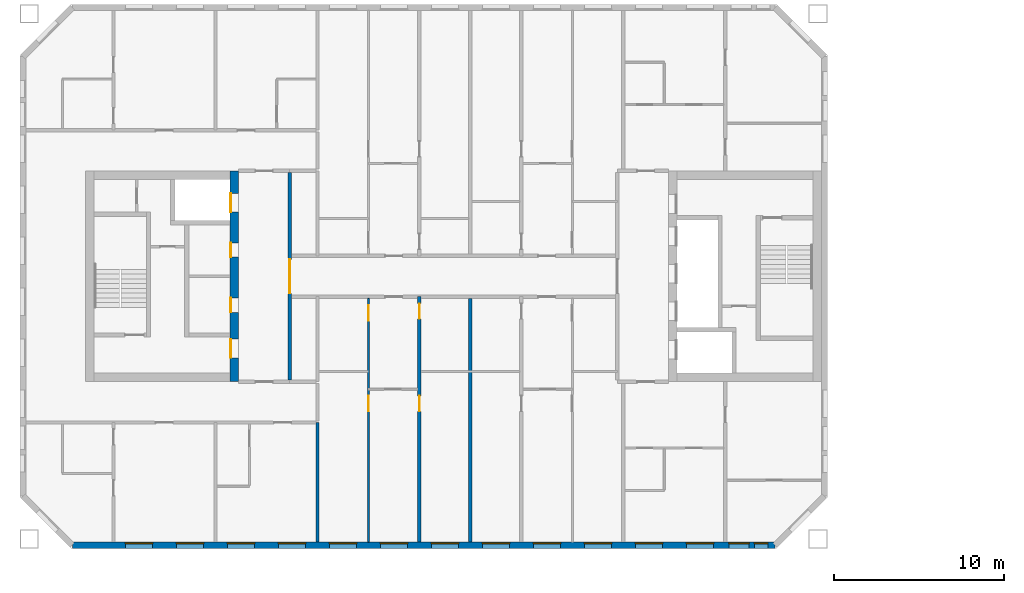
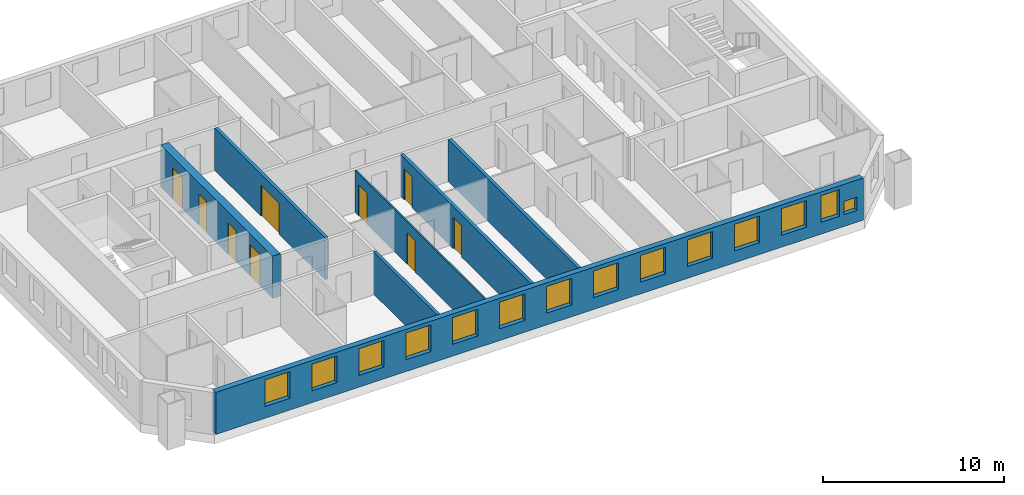
# One storey, part 3 of 15: 14 windows, 9 doors, 7 walls, 23 openings.
"""IFC4 building model written with IfcOpenShell, lengths in metres."""

from ifc_helpers import new_model, si_unit, direction, frame, frame_2d, origin, place, context, subcontext, project, spatial, rectangle, extrude, material, layer, layer_set, type_object, element, fill, save


model = new_model("IFC4")

# Units and contexts
model_context = context("Model", 3, precision=1e-05, world=origin(), true_north=direction((0.0, 1.0)))
body_context = subcontext(model_context, "Body", "Model", "MODEL_VIEW")
ifc_project = project(units=[si_unit("LENGTHUNIT", "METRE"), si_unit("AREAUNIT", "SQUARE_METRE"), si_unit("VOLUMEUNIT", "CUBIC_METRE"), si_unit("PLANEANGLEUNIT", "RADIAN"), si_unit("MASSUNIT", "GRAM", prefix="KILO")], contexts=[model_context])

# Site, building, storey
site_placement = place(None, origin())
site = spatial("IfcSite", under=ifc_project, at=site_placement, CompositionType="ELEMENT")
building_placement = place(site_placement, origin())
building = spatial("IfcBuilding", under=site, at=building_placement, Name="Tuart Gate Housing", CompositionType="ELEMENT")
storey_placement = place(building_placement, frame((0.0, 0.0, 148.5)))
storey = spatial("IfcBuildingStorey", under=building, at=storey_placement, Name="L41", CompositionType="ELEMENT", Elevation=148.5)

# Wall, openings, windows
ifc_material_1 = material(Name="Brick", Category="masonry")
ifc_layer_1 = layer(ifc_material_1, 0.360107421875)
ifc_layer_set_1 = layer_set([ifc_layer_1], Name="Brick pier and spandrel wall 360")
wall_type_1 = type_object("IfcWallType", Name="Brick pier and spandrel wall 360", PredefinedType="STANDARD", material=ifc_layer_set_1)
wall_1_placement = place(storey_placement, frame((31.57470703125, 54.179931640625, 0.0), z_axis=(0.0, 0.0, 1.0), x_axis=(1.0, 0.0, 0.0)))
wall_1 = element("IfcWall", 1, at=wall_1_placement, inside=storey, type_object=wall_type_1, Name="External wall A-S L41", PredefinedType="STANDARD", context=body_context, shape_type="SweptSolid", body=[
    extrude(rectangle(XDim=41.350830078125, YDim=0.360107421875, at=frame_2d((20.67529296875, 0.0))), origin(), (0.0, 0.0, 1.0), 2.85009765625),
])
opening_1_placement = place(wall_1_placement, frame((3.12548828125, 0.0, 0.800048828125)))
opening_1 = element("IfcOpeningElement", 2, at=opening_1_placement, cuts=wall_1, Name="Opening W1", PredefinedType="OPENING", context=body_context, shape_type="SweptSolid", body=[
    extrude(rectangle(XDim=1.60009765625, YDim=1.800048828125, at=frame_2d((0.800048828125, 0.89990234375))), frame((0.0, 0.18994140625, 0.0), z_axis=(0.0, -1.0, 0.0), x_axis=(1.0, 0.0, 0.0)), (0.0, 0.0, 1.0), 0.380126953125),
])
opening_2_placement = place(wall_1_placement, frame((6.12548828125, 0.0, 0.800048828125)))
opening_2 = element("IfcOpeningElement", 3, at=opening_2_placement, cuts=wall_1, Name="Opening W1", PredefinedType="OPENING", context=body_context, shape_type="SweptSolid", body=[
    extrude(rectangle(XDim=1.60009765625, YDim=1.800048828125, at=frame_2d((0.800048828125, 0.89990234375))), frame((0.0, 0.18994140625, 0.0), z_axis=(0.0, -1.0, 0.0), x_axis=(1.0, 0.0, 0.0)), (0.0, 0.0, 1.0), 0.380126953125),
])
opening_3_placement = place(wall_1_placement, frame((9.12548828125, 0.0, 0.800048828125)))
opening_3 = element("IfcOpeningElement", 4, at=opening_3_placement, cuts=wall_1, Name="Opening W1", PredefinedType="OPENING", context=body_context, shape_type="SweptSolid", body=[
    extrude(rectangle(XDim=1.60009765625, YDim=1.800048828125, at=frame_2d((0.800048828125, 0.89990234375))), frame((0.0, 0.18994140625, 0.0), z_axis=(0.0, -1.0, 0.0), x_axis=(1.0, 0.0, 0.0)), (0.0, 0.0, 1.0), 0.380126953125),
])
opening_4_placement = place(wall_1_placement, frame((12.12548828125, 0.0, 0.800048828125)))
opening_4 = element("IfcOpeningElement", 5, at=opening_4_placement, cuts=wall_1, Name="Opening W1", PredefinedType="OPENING", context=body_context, shape_type="SweptSolid", body=[
    extrude(rectangle(XDim=1.60009765625, YDim=1.800048828125, at=frame_2d((0.800048828125, 0.89990234375))), frame((0.0, 0.18994140625, 0.0), z_axis=(0.0, -1.0, 0.0), x_axis=(1.0, 0.0, 0.0)), (0.0, 0.0, 1.0), 0.380126953125),
])
opening_5_placement = place(wall_1_placement, frame((15.12548828125, 0.0, 0.800048828125)))
opening_5 = element("IfcOpeningElement", 6, at=opening_5_placement, cuts=wall_1, Name="Opening W1", PredefinedType="OPENING", context=body_context, shape_type="SweptSolid", body=[
    extrude(rectangle(XDim=1.60009765625, YDim=1.800048828125, at=frame_2d((0.800048828125, 0.89990234375))), frame((0.0, 0.18994140625, 0.0), z_axis=(0.0, -1.0, 0.0), x_axis=(1.0, 0.0, 0.0)), (0.0, 0.0, 1.0), 0.380126953125),
])
opening_6_placement = place(wall_1_placement, frame((18.12548828125, 0.0, 0.800048828125)))
opening_6 = element("IfcOpeningElement", 7, at=opening_6_placement, cuts=wall_1, Name="Opening W1", PredefinedType="OPENING", context=body_context, shape_type="SweptSolid", body=[
    extrude(rectangle(XDim=1.60009765625, YDim=1.800048828125, at=frame_2d((0.800048828125, 0.89990234375))), frame((0.0, 0.18994140625, 0.0), z_axis=(0.0, -1.0, 0.0), x_axis=(1.0, 0.0, 0.0)), (0.0, 0.0, 1.0), 0.380126953125),
])
opening_7_placement = place(wall_1_placement, frame((21.12548828125, 0.0, 0.800048828125)))
opening_7 = element("IfcOpeningElement", 8, at=opening_7_placement, cuts=wall_1, Name="Opening W1", PredefinedType="OPENING", context=body_context, shape_type="SweptSolid", body=[
    extrude(rectangle(XDim=1.60009765625, YDim=1.800048828125, at=frame_2d((0.800048828125, 0.89990234375))), frame((0.0, 0.18994140625, 0.0), z_axis=(0.0, -1.0, 0.0), x_axis=(1.0, 0.0, 0.0)), (0.0, 0.0, 1.0), 0.380126953125),
])
opening_8_placement = place(wall_1_placement, frame((24.12548828125, 0.0, 0.800048828125)))
opening_8 = element("IfcOpeningElement", 9, at=opening_8_placement, cuts=wall_1, Name="Opening W1", PredefinedType="OPENING", context=body_context, shape_type="SweptSolid", body=[
    extrude(rectangle(XDim=1.60009765625, YDim=1.800048828125, at=frame_2d((0.800048828125, 0.89990234375))), frame((0.0, 0.18994140625, 0.0), z_axis=(0.0, -1.0, 0.0), x_axis=(1.0, 0.0, 0.0)), (0.0, 0.0, 1.0), 0.380126953125),
])
opening_9_placement = place(wall_1_placement, frame((27.12548828125, 0.0, 0.800048828125)))
opening_9 = element("IfcOpeningElement", 10, at=opening_9_placement, cuts=wall_1, Name="Opening W1", PredefinedType="OPENING", context=body_context, shape_type="SweptSolid", body=[
    extrude(rectangle(XDim=1.60009765625, YDim=1.800048828125, at=frame_2d((0.800048828125, 0.89990234375))), frame((0.0, 0.18994140625, 0.0), z_axis=(0.0, -1.0, 0.0), x_axis=(1.0, 0.0, 0.0)), (0.0, 0.0, 1.0), 0.380126953125),
])
opening_10_placement = place(wall_1_placement, frame((30.12548828125, 0.0, 0.800048828125)))
opening_10 = element("IfcOpeningElement", 11, at=opening_10_placement, cuts=wall_1, Name="Opening W1", PredefinedType="OPENING", context=body_context, shape_type="SweptSolid", body=[
    extrude(rectangle(XDim=1.60009765625, YDim=1.800048828125, at=frame_2d((0.800048828125, 0.89990234375))), frame((0.0, 0.18994140625, 0.0), z_axis=(0.0, -1.0, 0.0), x_axis=(1.0, 0.0, 0.0)), (0.0, 0.0, 1.0), 0.380126953125),
])
opening_11_placement = place(wall_1_placement, frame((33.12548828125, 0.0, 0.800048828125)))
opening_11 = element("IfcOpeningElement", 12, at=opening_11_placement, cuts=wall_1, Name="Opening W1", PredefinedType="OPENING", context=body_context, shape_type="SweptSolid", body=[
    extrude(rectangle(XDim=1.60009765625, YDim=1.800048828125, at=frame_2d((0.800048828125, 0.89990234375))), frame((0.0, 0.18994140625, 0.0), z_axis=(0.0, -1.0, 0.0), x_axis=(1.0, 0.0, 0.0)), (0.0, 0.0, 1.0), 0.380126953125),
])
opening_12_placement = place(wall_1_placement, frame((36.12548828125, 0.0, 0.800048828125)))
opening_12 = element("IfcOpeningElement", 13, at=opening_12_placement, cuts=wall_1, Name="Opening W1", PredefinedType="OPENING", context=body_context, shape_type="SweptSolid", body=[
    extrude(rectangle(XDim=1.60009765625, YDim=1.800048828125, at=frame_2d((0.800048828125, 0.89990234375))), frame((0.0, 0.18994140625, 0.0), z_axis=(0.0, -1.0, 0.0), x_axis=(1.0, 0.0, 0.0)), (0.0, 0.0, 1.0), 0.380126953125),
])
opening_13_placement = place(wall_1_placement, frame((38.62548828125, 0.0, 0.800048828125)))
opening_13 = element("IfcOpeningElement", 14, at=opening_13_placement, cuts=wall_1, Name="Opening W1B", PredefinedType="OPENING", context=body_context, shape_type="SweptSolid", body=[
    extrude(rectangle(XDim=1.199951171875, YDim=1.800048828125, at=frame_2d((0.60009765625, 0.89990234375))), frame((0.0, 0.18994140625, 0.0), z_axis=(0.0, -1.0, 0.0), x_axis=(1.0, 0.0, 0.0)), (0.0, 0.0, 1.0), 0.380126953125),
])
opening_14_placement = place(wall_1_placement, frame((40.12548828125, 0.0, 0.800048828125)))
opening_14 = element("IfcOpeningElement", 15, at=opening_14_placement, cuts=wall_1, Name="Opening W1V", PredefinedType="OPENING", context=body_context, shape_type="SweptSolid", body=[
    extrude(rectangle(XDim=0.800048828125, YDim=0.89990234375, at=frame_2d((0.39990234375, 0.449951171875))), frame((0.0, 0.18994140625, 0.0), z_axis=(0.0, -1.0, 0.0), x_axis=(1.0, 0.0, 0.0)), (0.0, 0.0, 1.0), 0.380126953125),
])
ifc_material_2 = material(Name="Aluminium frame with clear glass", Category="aluminium")
window_type_1 = type_object("IfcWindowType", Name="Punched window 1200 x 1800", PartitioningType="SINGLE_PANEL", PredefinedType="WINDOW", material=ifc_material_2)
window_1_placement = place(opening_13_placement, origin())
window_1 = element("IfcWindow", 16, at=window_1_placement, inside=storey, type_object=window_type_1, Name="Window W1B", OverallHeight=1.800048828125, OverallWidth=1.199951171875, PartitioningType="SINGLE_PANEL", PredefinedType="WINDOW", context=body_context, shape_type="SweptSolid", body=[
    extrude(rectangle(XDim=1.199951171875, YDim=1.800048828125, at=frame_2d((0.60009765625, 0.89990234375))), frame((0.0, 0.150146484375, 0.0), z_axis=(0.0, -1.0, 0.0), x_axis=(1.0, 0.0, 0.0)), (0.0, 0.0, 1.0), 0.06005859375),
])
fill(opening_13, window_1)
ifc_material_3 = material(Name="Aluminium frame with clear glass", Category="aluminium")
window_type_2 = type_object("IfcWindowType", Name="Punched window 1600 x 1800", PartitioningType="SINGLE_PANEL", PredefinedType="WINDOW", material=ifc_material_3)
window_2_placement = place(opening_1_placement, origin())
window_2 = element("IfcWindow", 17, at=window_2_placement, inside=storey, type_object=window_type_2, Name="Window W1", OverallHeight=1.800048828125, OverallWidth=1.60009765625, PartitioningType="SINGLE_PANEL", PredefinedType="WINDOW", context=body_context, shape_type="SweptSolid", body=[
    extrude(rectangle(XDim=1.60009765625, YDim=1.800048828125, at=frame_2d((0.800048828125, 0.89990234375))), frame((0.0, 0.150146484375, 0.0), z_axis=(0.0, -1.0, 0.0), x_axis=(1.0, 0.0, 0.0)), (0.0, 0.0, 1.0), 0.06005859375),
])
fill(opening_1, window_2)
window_3_placement = place(opening_2_placement, origin())
window_3 = element("IfcWindow", 18, at=window_3_placement, inside=storey, type_object=window_type_2, Name="Window W1", OverallHeight=1.800048828125, OverallWidth=1.60009765625, PartitioningType="SINGLE_PANEL", PredefinedType="WINDOW", context=body_context, shape_type="SweptSolid", body=[
    extrude(rectangle(XDim=1.60009765625, YDim=1.800048828125, at=frame_2d((0.800048828125, 0.89990234375))), frame((0.0, 0.150146484375, 0.0), z_axis=(0.0, -1.0, 0.0), x_axis=(1.0, 0.0, 0.0)), (0.0, 0.0, 1.0), 0.06005859375),
])
fill(opening_2, window_3)
window_4_placement = place(opening_3_placement, origin())
window_4 = element("IfcWindow", 19, at=window_4_placement, inside=storey, type_object=window_type_2, Name="Window W1", OverallHeight=1.800048828125, OverallWidth=1.60009765625, PartitioningType="SINGLE_PANEL", PredefinedType="WINDOW", context=body_context, shape_type="SweptSolid", body=[
    extrude(rectangle(XDim=1.60009765625, YDim=1.800048828125, at=frame_2d((0.800048828125, 0.89990234375))), frame((0.0, 0.150146484375, 0.0), z_axis=(0.0, -1.0, 0.0), x_axis=(1.0, 0.0, 0.0)), (0.0, 0.0, 1.0), 0.06005859375),
])
fill(opening_3, window_4)
window_5_placement = place(opening_4_placement, origin())
window_5 = element("IfcWindow", 20, at=window_5_placement, inside=storey, type_object=window_type_2, Name="Window W1", OverallHeight=1.800048828125, OverallWidth=1.60009765625, PartitioningType="SINGLE_PANEL", PredefinedType="WINDOW", context=body_context, shape_type="SweptSolid", body=[
    extrude(rectangle(XDim=1.60009765625, YDim=1.800048828125, at=frame_2d((0.800048828125, 0.89990234375))), frame((0.0, 0.150146484375, 0.0), z_axis=(0.0, -1.0, 0.0), x_axis=(1.0, 0.0, 0.0)), (0.0, 0.0, 1.0), 0.06005859375),
])
fill(opening_4, window_5)
window_6_placement = place(opening_5_placement, origin())
window_6 = element("IfcWindow", 21, at=window_6_placement, inside=storey, type_object=window_type_2, Name="Window W1", OverallHeight=1.800048828125, OverallWidth=1.60009765625, PartitioningType="SINGLE_PANEL", PredefinedType="WINDOW", context=body_context, shape_type="SweptSolid", body=[
    extrude(rectangle(XDim=1.60009765625, YDim=1.800048828125, at=frame_2d((0.800048828125, 0.89990234375))), frame((0.0, 0.150146484375, 0.0), z_axis=(0.0, -1.0, 0.0), x_axis=(1.0, 0.0, 0.0)), (0.0, 0.0, 1.0), 0.06005859375),
])
fill(opening_5, window_6)
window_7_placement = place(opening_6_placement, origin())
window_7 = element("IfcWindow", 22, at=window_7_placement, inside=storey, type_object=window_type_2, Name="Window W1", OverallHeight=1.800048828125, OverallWidth=1.60009765625, PartitioningType="SINGLE_PANEL", PredefinedType="WINDOW", context=body_context, shape_type="SweptSolid", body=[
    extrude(rectangle(XDim=1.60009765625, YDim=1.800048828125, at=frame_2d((0.800048828125, 0.89990234375))), frame((0.0, 0.150146484375, 0.0), z_axis=(0.0, -1.0, 0.0), x_axis=(1.0, 0.0, 0.0)), (0.0, 0.0, 1.0), 0.06005859375),
])
fill(opening_6, window_7)
window_8_placement = place(opening_7_placement, origin())
window_8 = element("IfcWindow", 23, at=window_8_placement, inside=storey, type_object=window_type_2, Name="Window W1", OverallHeight=1.800048828125, OverallWidth=1.60009765625, PartitioningType="SINGLE_PANEL", PredefinedType="WINDOW", context=body_context, shape_type="SweptSolid", body=[
    extrude(rectangle(XDim=1.60009765625, YDim=1.800048828125, at=frame_2d((0.800048828125, 0.89990234375))), frame((0.0, 0.150146484375, 0.0), z_axis=(0.0, -1.0, 0.0), x_axis=(1.0, 0.0, 0.0)), (0.0, 0.0, 1.0), 0.06005859375),
])
fill(opening_7, window_8)
window_9_placement = place(opening_8_placement, origin())
window_9 = element("IfcWindow", 24, at=window_9_placement, inside=storey, type_object=window_type_2, Name="Window W1", OverallHeight=1.800048828125, OverallWidth=1.60009765625, PartitioningType="SINGLE_PANEL", PredefinedType="WINDOW", context=body_context, shape_type="SweptSolid", body=[
    extrude(rectangle(XDim=1.60009765625, YDim=1.800048828125, at=frame_2d((0.800048828125, 0.89990234375))), frame((0.0, 0.150146484375, 0.0), z_axis=(0.0, -1.0, 0.0), x_axis=(1.0, 0.0, 0.0)), (0.0, 0.0, 1.0), 0.06005859375),
])
fill(opening_8, window_9)
window_10_placement = place(opening_9_placement, origin())
window_10 = element("IfcWindow", 25, at=window_10_placement, inside=storey, type_object=window_type_2, Name="Window W1", OverallHeight=1.800048828125, OverallWidth=1.60009765625, PartitioningType="SINGLE_PANEL", PredefinedType="WINDOW", context=body_context, shape_type="SweptSolid", body=[
    extrude(rectangle(XDim=1.60009765625, YDim=1.800048828125, at=frame_2d((0.800048828125, 0.89990234375))), frame((0.0, 0.150146484375, 0.0), z_axis=(0.0, -1.0, 0.0), x_axis=(1.0, 0.0, 0.0)), (0.0, 0.0, 1.0), 0.06005859375),
])
fill(opening_9, window_10)
window_11_placement = place(opening_10_placement, origin())
window_11 = element("IfcWindow", 26, at=window_11_placement, inside=storey, type_object=window_type_2, Name="Window W1", OverallHeight=1.800048828125, OverallWidth=1.60009765625, PartitioningType="SINGLE_PANEL", PredefinedType="WINDOW", context=body_context, shape_type="SweptSolid", body=[
    extrude(rectangle(XDim=1.60009765625, YDim=1.800048828125, at=frame_2d((0.800048828125, 0.89990234375))), frame((0.0, 0.150146484375, 0.0), z_axis=(0.0, -1.0, 0.0), x_axis=(1.0, 0.0, 0.0)), (0.0, 0.0, 1.0), 0.06005859375),
])
fill(opening_10, window_11)
window_12_placement = place(opening_11_placement, origin())
window_12 = element("IfcWindow", 27, at=window_12_placement, inside=storey, type_object=window_type_2, Name="Window W1", OverallHeight=1.800048828125, OverallWidth=1.60009765625, PartitioningType="SINGLE_PANEL", PredefinedType="WINDOW", context=body_context, shape_type="SweptSolid", body=[
    extrude(rectangle(XDim=1.60009765625, YDim=1.800048828125, at=frame_2d((0.800048828125, 0.89990234375))), frame((0.0, 0.150146484375, 0.0), z_axis=(0.0, -1.0, 0.0), x_axis=(1.0, 0.0, 0.0)), (0.0, 0.0, 1.0), 0.06005859375),
])
fill(opening_11, window_12)
window_13_placement = place(opening_12_placement, origin())
window_13 = element("IfcWindow", 28, at=window_13_placement, inside=storey, type_object=window_type_2, Name="Window W1", OverallHeight=1.800048828125, OverallWidth=1.60009765625, PartitioningType="SINGLE_PANEL", PredefinedType="WINDOW", context=body_context, shape_type="SweptSolid", body=[
    extrude(rectangle(XDim=1.60009765625, YDim=1.800048828125, at=frame_2d((0.800048828125, 0.89990234375))), frame((0.0, 0.150146484375, 0.0), z_axis=(0.0, -1.0, 0.0), x_axis=(1.0, 0.0, 0.0)), (0.0, 0.0, 1.0), 0.06005859375),
])
fill(opening_12, window_13)
ifc_material_4 = material(Name="Aluminium frame with clear glass", Category="aluminium")
window_type_3 = type_object("IfcWindowType", Name="Punched window 800 x 900", PartitioningType="SINGLE_PANEL", PredefinedType="WINDOW", material=ifc_material_4)
window_14_placement = place(opening_14_placement, origin())
window_14 = element("IfcWindow", 29, at=window_14_placement, inside=storey, type_object=window_type_3, Name="Window W1V", OverallHeight=0.89990234375, OverallWidth=0.800048828125, PartitioningType="SINGLE_PANEL", PredefinedType="WINDOW", context=body_context, shape_type="SweptSolid", body=[
    extrude(rectangle(XDim=0.800048828125, YDim=0.89990234375, at=frame_2d((0.39990234375, 0.449951171875))), frame((0.0, 0.150146484375, 0.0), z_axis=(0.0, -1.0, 0.0), x_axis=(1.0, 0.0, 0.0)), (0.0, 0.0, 1.0), 0.06005859375),
])
fill(opening_14, window_14)

# Wall, openings, doors
ifc_material_5 = material(Name="Concrete C40", Category="concrete")
ifc_layer_2 = layer(ifc_material_5, 0.5)
ifc_layer_set_2 = layer_set([ifc_layer_2], Name="Core wall 500 C40")
wall_type_2 = type_object("IfcWallType", Name="Core wall 500 C40", PredefinedType="SHEAR", material=ifc_layer_set_2)
wall_2_placement = place(storey_placement, frame((41.110107421875, 76.199951171875, 0.0), z_axis=(0.0, 0.0, 1.0), x_axis=(0.0, -1.0, 0.0)))
wall_2 = element("IfcWall", 30, at=wall_2_placement, inside=storey, type_object=wall_type_2, Name="Core wall AK front", PredefinedType="SHEAR", context=body_context, shape_type="SweptSolid", body=[
    extrude(rectangle(XDim=12.39990234375, YDim=0.5, at=frame_2d((6.199951171875, 0.0))), origin(), (0.0, 0.0, 1.0), 2.85009765625),
])
opening_15_placement = place(wall_2_placement, frame((1.324951171875, 0.0, 0.0)))
opening_15 = element("IfcOpeningElement", 31, at=opening_15_placement, cuts=wall_2, Name="Opening LD-FA2", PredefinedType="OPENING", context=body_context, shape_type="SweptSolid", body=[
    extrude(rectangle(XDim=1.10009765625, YDim=2.10009765625, at=frame_2d((0.550048828125, 1.050048828125))), frame((0.0, 0.260009765625, 0.0), z_axis=(0.0, -1.0, 0.0), x_axis=(1.0, 0.0, 0.0)), (0.0, 0.0, 1.0), 0.52001953125),
])
opening_16_placement = place(wall_2_placement, frame((4.22509765625, 0.0, 0.0)))
opening_16 = element("IfcOpeningElement", 32, at=opening_16_placement, cuts=wall_2, Name="Opening D1543", PredefinedType="OPENING", context=body_context, shape_type="SweptSolid", body=[
    extrude(rectangle(XDim=0.85009765625, YDim=2.10009765625, at=frame_2d((0.425048828125, 1.050048828125))), frame((0.0, 0.260009765625, 0.0), z_axis=(0.0, -1.0, 0.0), x_axis=(1.0, 0.0, 0.0)), (0.0, 0.0, 1.0), 0.52001953125),
])
opening_17_placement = place(wall_2_placement, frame((7.47509765625, 0.0, 0.0)))
opening_17 = element("IfcOpeningElement", 33, at=opening_17_placement, cuts=wall_2, Name="Opening D1544", PredefinedType="OPENING", context=body_context, shape_type="SweptSolid", body=[
    extrude(rectangle(XDim=0.85009765625, YDim=2.10009765625, at=frame_2d((0.425048828125, 1.050048828125))), frame((0.0, 0.260009765625, 0.0), z_axis=(0.0, -1.0, 0.0), x_axis=(1.0, 0.0, 0.0)), (0.0, 0.0, 1.0), 0.52001953125),
])
opening_18_placement = place(wall_2_placement, frame((9.89990234375, 0.0, 0.0)))
opening_18 = element("IfcOpeningElement", 34, at=opening_18_placement, cuts=wall_2, Name="Opening D1542", PredefinedType="OPENING", context=body_context, shape_type="SweptSolid", body=[
    extrude(rectangle(XDim=1.10009765625, YDim=2.10009765625, at=frame_2d((0.550048828125, 1.050048828125))), frame((0.0, 0.260009765625, 0.0), z_axis=(0.0, -1.0, 0.0), x_axis=(1.0, 0.0, 0.0)), (0.0, 0.0, 1.0), 0.52001953125),
])
ifc_material_6 = material(Name="Stainless steel", Category="steel")
door_type_1 = type_object("IfcDoorType", Name="Landing door 1100 x 2100", OperationType="DOUBLE_DOOR_SLIDING", PredefinedType="DOOR", material=ifc_material_6)
door_1_placement = place(opening_15_placement, origin())
door_1 = element("IfcDoor", 35, at=door_1_placement, inside=storey, type_object=door_type_1, Name="Lift landing door FA2", OperationType="DOUBLE_DOOR_SLIDING", OverallHeight=2.10009765625, OverallWidth=1.10009765625, PredefinedType="DOOR", context=body_context, shape_type="SweptSolid", body=[
    extrude(rectangle(XDim=1.10009765625, YDim=2.10009765625, at=frame_2d((0.550048828125, 1.050048828125))), frame((0.0, -0.18505859375, 0.0), z_axis=(0.0, -1.0, 0.0), x_axis=(1.0, 0.0, 0.0)), (0.0, 0.0, 1.0), 0.050048828125),
])
fill(opening_15, door_1)
ifc_material_7 = material(Name="Steel fire door", Category="steel")
door_type_2 = type_object("IfcDoorType", Name="Lobby door 1100 x 2100 RH", OperationType="SINGLE_SWING_RIGHT", PredefinedType="DOOR", material=ifc_material_7)
door_2_placement = place(opening_18_placement, frame((1.10009765625, 0.0, 0.0), z_axis=(0.0, 0.0, 1.0), x_axis=(-1.0, 0.0, 0.0)))
door_2 = element("IfcDoor", 36, at=door_2_placement, inside=storey, type_object=door_type_2, Name="Lobby entry door AK.EN", OperationType="SINGLE_SWING_RIGHT", OverallHeight=2.10009765625, OverallWidth=1.10009765625, PredefinedType="DOOR", context=body_context, shape_type="SweptSolid", body=[
    extrude(rectangle(XDim=1.10009765625, YDim=2.10009765625, at=frame_2d((0.550048828125, 1.050048828125))), frame((0.0, 0.235107421875, 0.0), z_axis=(0.0, -1.0, 0.0), x_axis=(1.0, 0.0, 0.0)), (0.0, 0.0, 1.0), 0.050048828125),
])
fill(opening_18, door_2)
ifc_material_8 = material(Name="Steel fire door", Category="steel")
door_type_3 = type_object("IfcDoorType", Name="Service door 850 x 2100 RH", OperationType="SINGLE_SWING_RIGHT", PredefinedType="DOOR", material=ifc_material_8)
door_3_placement = place(opening_16_placement, frame((0.85009765625, 0.0, 0.0), z_axis=(0.0, 0.0, 1.0), x_axis=(-1.0, 0.0, 0.0)))
door_3 = element("IfcDoor", 37, at=door_3_placement, inside=storey, type_object=door_type_3, Name="Service room door AK.FR1", OperationType="SINGLE_SWING_RIGHT", OverallHeight=2.10009765625, OverallWidth=0.85009765625, PredefinedType="DOOR", context=body_context, shape_type="SweptSolid", body=[
    extrude(rectangle(XDim=0.85009765625, YDim=2.10009765625, at=frame_2d((0.425048828125, 1.050048828125))), frame((0.0, 0.235107421875, 0.0), z_axis=(0.0, -1.0, 0.0), x_axis=(1.0, 0.0, 0.0)), (0.0, 0.0, 1.0), 0.050048828125),
])
fill(opening_16, door_3)
door_4_placement = place(opening_17_placement, frame((0.85009765625, 0.0, 0.0), z_axis=(0.0, 0.0, 1.0), x_axis=(-1.0, 0.0, 0.0)))
door_4 = element("IfcDoor", 38, at=door_4_placement, inside=storey, type_object=door_type_3, Name="Service room door AK.FR2", OperationType="SINGLE_SWING_RIGHT", OverallHeight=2.10009765625, OverallWidth=0.85009765625, PredefinedType="DOOR", context=body_context, shape_type="SweptSolid", body=[
    extrude(rectangle(XDim=0.85009765625, YDim=2.10009765625, at=frame_2d((0.425048828125, 1.050048828125))), frame((0.0, 0.235107421875, 0.0), z_axis=(0.0, -1.0, 0.0), x_axis=(1.0, 0.0, 0.0)), (0.0, 0.0, 1.0), 0.050048828125),
])
fill(opening_17, door_4)

# Wall, opening, door
ifc_material_9 = material(Name="Plasterboard partition")
ifc_layer_3 = layer(ifc_material_9, 0.199951171875)
ifc_layer_set_3 = layer_set([ifc_layer_3], Name="Lobby wall 200")
wall_type_3 = type_object("IfcWallType", Name="Lobby wall 200", PredefinedType="PARTITIONING", material=ifc_layer_set_3)
wall_3_placement = place(storey_placement, frame((44.360107421875, 63.89990234375, 0.0), z_axis=(0.0, 0.0, 1.0), x_axis=(0.0, 1.0, 0.0)))
wall_3 = element("IfcWall", 39, at=wall_3_placement, inside=storey, type_object=wall_type_3, Name="Lift lobby wall AK", PredefinedType="PARTITIONING", context=body_context, shape_type="SweptSolid", body=[
    extrude(rectangle(XDim=12.2001953125, YDim=0.199951171875, at=frame_2d((6.10009765625, 0.0))), origin(), (0.0, 0.0, 1.0), 2.85009765625),
])
opening_19_placement = place(wall_3_placement, frame((5.10009765625, 0.0, 0.0)))
opening_19 = element("IfcOpeningElement", 40, at=opening_19_placement, cuts=wall_3, Name="Opening D1545", PredefinedType="OPENING", context=body_context, shape_type="SweptSolid", body=[
    extrude(rectangle(XDim=2.0, YDim=2.10009765625, at=frame_2d((1.0, 1.050048828125))), frame((0.0, 0.10986328125, 0.0), z_axis=(0.0, -1.0, 0.0), x_axis=(1.0, 0.0, 0.0)), (0.0, 0.0, 1.0), 0.219970703125),
])
ifc_material_10 = material(Name="Steel fire door", Category="steel")
door_type_4 = type_object("IfcDoorType", Name="Smoke door 2000 x 2100", OperationType="DOUBLE_DOOR_SINGLE_SWING", PredefinedType="DOOR", material=ifc_material_10)
door_5_placement = place(opening_19_placement, origin())
door_5 = element("IfcDoor", 41, at=door_5_placement, inside=storey, type_object=door_type_4, Name="Lift lobby smoke door AK", OperationType="DOUBLE_DOOR_SINGLE_SWING", OverallHeight=2.10009765625, OverallWidth=2.0, PredefinedType="DOOR", context=body_context, shape_type="SweptSolid", body=[
    extrude(rectangle(XDim=2.0, YDim=2.10009765625, at=frame_2d((1.0, 1.050048828125))), frame((0.0, 0.02490234375, 0.0), z_axis=(0.0, -1.0, 0.0), x_axis=(1.0, 0.0, 0.0)), (0.0, 0.0, 1.0), 0.050048828125),
])
fill(opening_19, door_5)

# Wall, openings, doors
ifc_material_11 = material(Name="Gypsum board on steel studs", Category="steel")
ifc_layer_4 = layer(ifc_material_11, 0.10009765625)
ifc_layer_set_4 = layer_set([ifc_layer_4], Name="Partition 100")
wall_type_4 = type_object("IfcWallType", Name="Partition 100", PredefinedType="PARTITIONING", material=ifc_layer_set_4)
wall_4_placement = place(storey_placement, frame((49.0, 54.360107421875, 0.0), z_axis=(0.0, 0.0, 1.0), x_axis=(0.0, 1.0, 0.0)))
wall_4 = element("IfcWall", 42, at=wall_4_placement, inside=storey, type_object=wall_type_4, Name="Partition 100", PredefinedType="PARTITIONING", context=body_context, shape_type="SweptSolid", body=[
    extrude(rectangle(XDim=14.33984375, YDim=0.10009765625, at=frame_2d((7.169921875, 0.0))), origin(), (0.0, 0.0, 1.0), 2.85009765625),
])
opening_20_placement = place(wall_4_placement, frame((7.699951171875, 0.0, 0.0)))
opening_20 = element("IfcOpeningElement", 43, at=opening_20_placement, cuts=wall_4, Name="Opening D1561", PredefinedType="OPENING", context=body_context, shape_type="SweptSolid", body=[
    extrude(rectangle(XDim=0.89990234375, YDim=2.10009765625, at=frame_2d((0.449951171875, 1.050048828125))), frame((0.0, 0.06005859375, 0.0), z_axis=(0.0, -1.0, 0.0), x_axis=(1.0, 0.0, 0.0)), (0.0, 0.0, 1.0), 0.1201171875),
])
opening_21_placement = place(wall_4_placement, frame((13.0400390625, 0.0, 0.0)))
opening_21 = element("IfcOpeningElement", 44, at=opening_21_placement, cuts=wall_4, Name="Opening D1560", PredefinedType="OPENING", context=body_context, shape_type="SweptSolid", body=[
    extrude(rectangle(XDim=0.89990234375, YDim=2.10009765625, at=frame_2d((0.449951171875, 1.050048828125))), frame((0.0, 0.06005859375, 0.0), z_axis=(0.0, -1.0, 0.0), x_axis=(1.0, 0.0, 0.0)), (0.0, 0.0, 1.0), 0.1201171875),
])
ifc_material_12 = material(Name="Timber door leaf in steel frame", Category="steel")
door_type_5 = type_object("IfcDoorType", Name="Bathroom door 900 RH", OperationType="SINGLE_SWING_RIGHT", PredefinedType="DOOR", material=ifc_material_12)
door_6_placement = place(opening_21_placement, origin())
door_6 = element("IfcDoor", 45, at=door_6_placement, inside=storey, type_object=door_type_5, Name="Bathroom door", OperationType="SINGLE_SWING_RIGHT", OverallHeight=2.10009765625, OverallWidth=0.89990234375, PredefinedType="DOOR", context=body_context, shape_type="SweptSolid", body=[
    extrude(rectangle(XDim=0.89990234375, YDim=2.10009765625, at=frame_2d((0.449951171875, 1.050048828125))), frame((0.0, 0.02490234375, 0.0), z_axis=(0.0, -1.0, 0.0), x_axis=(1.0, 0.0, 0.0)), (0.0, 0.0, 1.0), 0.050048828125),
])
fill(opening_21, door_6)
ifc_material_13 = material(Name="Timber door leaf in steel frame", Category="steel")
door_type_6 = type_object("IfcDoorType", Name="Internal door 900 RH", OperationType="SINGLE_SWING_RIGHT", PredefinedType="DOOR", material=ifc_material_13)
door_7_placement = place(opening_20_placement, origin())
door_7 = element("IfcDoor", 46, at=door_7_placement, inside=storey, type_object=door_type_6, Name="Internal door", OperationType="SINGLE_SWING_RIGHT", OverallHeight=2.10009765625, OverallWidth=0.89990234375, PredefinedType="DOOR", context=body_context, shape_type="SweptSolid", body=[
    extrude(rectangle(XDim=0.89990234375, YDim=2.10009765625, at=frame_2d((0.449951171875, 1.050048828125))), frame((0.0, 0.02490234375, 0.0), z_axis=(0.0, -1.0, 0.0), x_axis=(1.0, 0.0, 0.0)), (0.0, 0.0, 1.0), 0.050048828125),
])
fill(opening_20, door_7)

# Wall
ifc_material_14 = material(Name="Concrete C40", Category="concrete")
ifc_layer_5 = layer(ifc_material_14, 0.199951171875)
ifc_layer_set_5 = layer_set([ifc_layer_5], Name="Party wall concrete C40 200")
wall_type_5 = type_object("IfcWallType", Name="Party wall concrete C40 200", PredefinedType="SOLIDWALL", material=ifc_layer_set_5)
wall_5_placement = place(storey_placement, frame((46.0, 54.360107421875, 0.0), z_axis=(0.0, 0.0, 1.0), x_axis=(0.0, 1.0, 0.0)))
element("IfcWall", 47, at=wall_5_placement, inside=storey, type_object=wall_type_5, Name="Party wall concrete C40 200", PredefinedType="SOLIDWALL", context=body_context, shape_type="SweptSolid", body=[
    extrude(rectangle(XDim=7.039794921875, YDim=0.199951171875, at=frame_2d((3.52001953125, 0.0))), origin(), (0.0, 0.0, 1.0), 2.85009765625),
])

# Wall, openings, doors
wall_6_placement = place(storey_placement, frame((52.0, 54.360107421875, 0.0), z_axis=(0.0, 0.0, 1.0), x_axis=(0.0, 1.0, 0.0)))
wall_6 = element("IfcWall", 48, at=wall_6_placement, inside=storey, type_object=wall_type_5, Name="Party wall concrete C40 200", PredefinedType="SOLIDWALL", context=body_context, shape_type="SweptSolid", body=[
    extrude(rectangle(XDim=14.43994140625, YDim=0.199951171875, at=frame_2d((7.219970703125, 0.0))), origin(), (0.0, 0.0, 1.0), 2.85009765625),
])
opening_22_placement = place(wall_6_placement, frame((7.699951171875, 0.0, 0.0)))
opening_22 = element("IfcOpeningElement", 49, at=opening_22_placement, cuts=wall_6, Name="Opening D1557", PredefinedType="OPENING", context=body_context, shape_type="SweptSolid", body=[
    extrude(rectangle(XDim=0.89990234375, YDim=2.10009765625, at=frame_2d((0.449951171875, 1.050048828125))), frame((0.0, 0.10986328125, 0.0), z_axis=(0.0, -1.0, 0.0), x_axis=(1.0, 0.0, 0.0)), (0.0, 0.0, 1.0), 0.219970703125),
])
opening_23_placement = place(wall_6_placement, frame((13.139892578125, 0.0, 0.0)))
opening_23 = element("IfcOpeningElement", 50, at=opening_23_placement, cuts=wall_6, Name="Opening D1556", PredefinedType="OPENING", context=body_context, shape_type="SweptSolid", body=[
    extrude(rectangle(XDim=0.89990234375, YDim=2.10009765625, at=frame_2d((0.449951171875, 1.050048828125))), frame((0.0, 0.10986328125, 0.0), z_axis=(0.0, -1.0, 0.0), x_axis=(1.0, 0.0, 0.0)), (0.0, 0.0, 1.0), 0.219970703125),
])
ifc_material_15 = material(Name="Timber door leaf in steel frame", Category="steel")
door_type_7 = type_object("IfcDoorType", Name="Bathroom door 900", OperationType="SINGLE_SWING_LEFT", PredefinedType="DOOR", material=ifc_material_15)
door_8_placement = place(opening_23_placement, frame((0.89990234375, 0.0, 0.0), z_axis=(0.0, 0.0, 1.0), x_axis=(-1.0, 0.0, 0.0)))
door_8 = element("IfcDoor", 51, at=door_8_placement, inside=storey, type_object=door_type_7, Name="Bathroom door", OperationType="SINGLE_SWING_LEFT", OverallHeight=2.10009765625, OverallWidth=0.89990234375, PredefinedType="DOOR", context=body_context, shape_type="SweptSolid", body=[
    extrude(rectangle(XDim=0.89990234375, YDim=2.10009765625, at=frame_2d((0.449951171875, 1.050048828125))), frame((0.0, 0.025146484375, 0.0), z_axis=(0.0, -1.0, 0.0), x_axis=(1.0, 0.0, 0.0)), (0.0, 0.0, 1.0), 0.050048828125),
])
fill(opening_23, door_8)
ifc_material_16 = material(Name="Timber door leaf in steel frame", Category="steel")
door_type_8 = type_object("IfcDoorType", Name="Internal door 900", OperationType="SINGLE_SWING_LEFT", PredefinedType="DOOR", material=ifc_material_16)
door_9_placement = place(opening_22_placement, frame((0.89990234375, 0.0, 0.0), z_axis=(0.0, 0.0, 1.0), x_axis=(-1.0, 0.0, 0.0)))
door_9 = element("IfcDoor", 52, at=door_9_placement, inside=storey, type_object=door_type_8, Name="Internal door", OperationType="SINGLE_SWING_LEFT", OverallHeight=2.10009765625, OverallWidth=0.89990234375, PredefinedType="DOOR", context=body_context, shape_type="SweptSolid", body=[
    extrude(rectangle(XDim=0.89990234375, YDim=2.10009765625, at=frame_2d((0.449951171875, 1.050048828125))), frame((0.0, 0.025146484375, 0.0), z_axis=(0.0, -1.0, 0.0), x_axis=(1.0, 0.0, 0.0)), (0.0, 0.0, 1.0), 0.050048828125),
])
fill(opening_22, door_9)

# Wall
ifc_material_17 = material(Name="Concrete masonry 15 MPa", Category="masonry")
ifc_layer_6 = layer(ifc_material_17, 0.199951171875)
ifc_layer_set_6 = layer_set([ifc_layer_6], Name="Party wall masonry 200")
wall_type_6 = type_object("IfcWallType", Name="Party wall masonry 200", PredefinedType="PARTITIONING", material=ifc_layer_set_6)
wall_7_placement = place(storey_placement, frame((55.0, 54.360107421875, 0.0), z_axis=(0.0, 0.0, 1.0), x_axis=(0.0, 1.0, 0.0)))
element("IfcWall", 53, at=wall_7_placement, inside=storey, type_object=wall_type_6, Name="Party wall masonry 200", PredefinedType="PARTITIONING", context=body_context, shape_type="SweptSolid", body=[
    extrude(rectangle(XDim=14.33984375, YDim=0.199951171875, at=frame_2d((7.169921875, 0.0))), origin(), (0.0, 0.0, 1.0), 2.85009765625),
])

save(model, "model.ifc")
